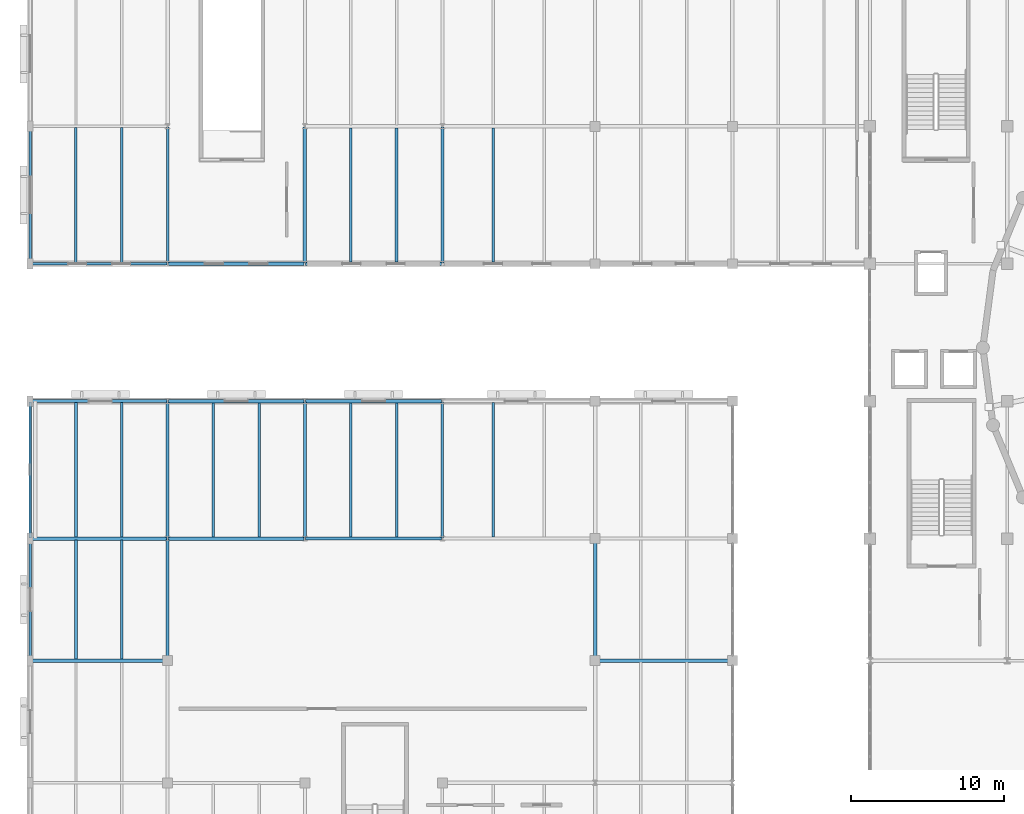
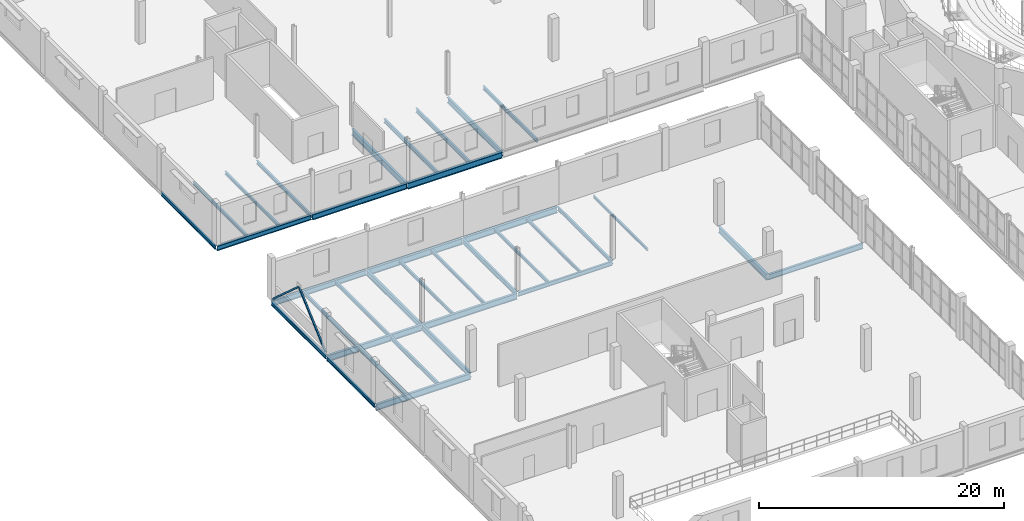
# One storey, part 22 of 85: 36 beams, 2 members.
"""IFC4 building model written with IfcOpenShell, lengths in metres."""

import ifcopenshell
import ifcopenshell.guid

model = None  # the IFC model being written
_history = None  # IfcOwnerHistory: only IFC2X3 demands one
_inside = {}  # id of a spatial element -> (the spatial element, [elements in it])
_under = {}  # id of a project, library or spatial element -> (it, [spatial elements below it])
_declared = {}  # id of a project -> (the project, [libraries it declares])
_typed = {}  # id of a type object -> (the type object, [elements of that type])
_made_of = {}  # id of a material, layer set ... -> (it, [elements and type objects made of it])


def new_model(schema):
    """Start an empty IFC model of exactly this schema.

    Asked for "IFC4X3", IfcOpenShell would pick the latest addendum, in which some entities
    have other attributes; the version numbers below select the first issue.
    IFC2X3 requires an IfcOwnerHistory on every rooted entity: one is made here for all.
    """
    global model, _history
    if schema == "IFC4X3":
        model = ifcopenshell.file(schema_version=(4, 3, 0, 0))
    else:
        model = ifcopenshell.file(schema=schema)
    _inside.clear()
    _under.clear()
    _declared.clear()
    _typed.clear()
    _made_of.clear()
    _history = None
    if model.schema == "IFC2X3":
        org = make("IfcOrganization", Name="unknown")
        user = make(
            "IfcPersonAndOrganization",
            ThePerson=make("IfcPerson", FamilyName="unknown"),
            TheOrganization=org,
        )
        app = make(
            "IfcApplication",
            ApplicationDeveloper=org,
            Version="unknown",
            ApplicationFullName="unknown",
            ApplicationIdentifier="unknown",
        )
        _history = make(
            "IfcOwnerHistory",
            OwningUser=user,
            OwningApplication=app,
            ChangeAction="ADDED",
            CreationDate=0,
        )
    return model


def make(cls, **values):
    """One entity of the class cls with the attributes given. An attribute that is None is left unset."""
    return model.create_entity(
        cls, **{name: value for name, value in values.items() if value is not None}
    )


def rooted(cls, **values):
    """An entity with a GlobalId (a new one), such as an element, a storey or a relation."""
    return make(cls, GlobalId=ifcopenshell.guid.new(), OwnerHistory=_history, **values)


def si_unit(unit_type, name, prefix=None):
    """IfcSIUnit, for example si_unit("LENGTHUNIT", "METRE", prefix="MILLI")."""
    return make("IfcSIUnit", UnitType=unit_type, Prefix=prefix, Name=name)


def assignment(units):
    """IfcUnitAssignment: the units of a project."""
    return None if units is None else make("IfcUnitAssignment", Units=units)


def point(xyz):
    """IfcCartesianPoint."""
    return None if xyz is None else make("IfcCartesianPoint", Coordinates=xyz)


def direction(xyz):
    """IfcDirection."""
    return None if xyz is None else make("IfcDirection", DirectionRatios=xyz)


def frame(location, z_axis=None, x_axis=None):
    """IfcAxis2Placement3D, a coordinate frame: its origin and axes. An axis left out is left unset."""
    return make(
        "IfcAxis2Placement3D",
        Location=point(location),
        Axis=direction(z_axis),
        RefDirection=direction(x_axis),
    )


def frame_2d(location, x_axis=None):
    """IfcAxis2Placement2D, a coordinate frame in the plane: its origin and x axis."""
    return make(
        "IfcAxis2Placement2D", Location=point(location), RefDirection=direction(x_axis)
    )


def origin():
    """The frame at (0, 0, 0) with its axes left unset."""
    return frame((0.0, 0.0, 0.0))


def origin_2d():
    """The frame at (0, 0) in the plane with its x axis left unset."""
    return frame_2d((0.0, 0.0))


def place(relative_to, where):
    """IfcLocalPlacement: puts the frame where relative to a parent placement (None: the world)."""
    return make(
        "IfcLocalPlacement", PlacementRelTo=relative_to, RelativePlacement=where
    )


def context(
    kind, dimensions, precision=None, world=None, true_north=None, identifier=None
):
    """IfcGeometricRepresentationContext, for example the 3D "Model" context."""
    return make(
        "IfcGeometricRepresentationContext",
        ContextIdentifier=identifier,
        ContextType=kind,
        CoordinateSpaceDimension=dimensions,
        Precision=precision,
        WorldCoordinateSystem=world,
        TrueNorth=true_north,
    )


def subcontext(parent, identifier, kind, view, scale=None):
    """IfcGeometricRepresentationSubContext, for example "Body" below "Model"."""
    return make(
        "IfcGeometricRepresentationSubContext",
        ContextIdentifier=identifier,
        ContextType=kind,
        ParentContext=parent,
        TargetScale=scale,
        TargetView=view,
    )


def project(units=None, contexts=None):
    """IfcProject with its units and contexts."""
    return rooted(
        "IfcProject",
        Name="project",
        RepresentationContexts=contexts,
        UnitsInContext=assignment(units),
    )


def spatial(cls, under=None, at=None, **own):
    """A site, building, storey or space (cls), placed at a placement, below another one or the project."""
    s = rooted(cls, ObjectPlacement=at, **own)
    if under is not None:
        _under.setdefault(under.id(), (under, []))[1].append(s)
    return s


def profile(cls, at=None, kind="AREA", **sizes):
    """A parametric profile (cls). Its sizes go by their IFC names, for example OverallWidth=200.0."""
    return make(cls, ProfileType=kind, Position=at, **sizes)


def hollow_rectangle(**sizes):
    """IfcRectangleHollowProfileDef."""
    return profile("IfcRectangleHollowProfileDef", **sizes)


def i_section(**sizes):
    """IfcIShapeProfileDef."""
    return profile("IfcIShapeProfileDef", **sizes)


def extrude(swept, where, along, depth):
    """IfcExtrudedAreaSolid: the profile swept, set in the frame where, extruded along a direction by depth."""
    return make(
        "IfcExtrudedAreaSolid",
        SweptArea=swept,
        Position=where,
        ExtrudedDirection=direction(along),
        Depth=depth,
    )


def shape(context_of_items, identifier, shape_type, items):
    """IfcShapeRepresentation: the items that make up one representation, for example the "Body"."""
    return make(
        "IfcShapeRepresentation",
        ContextOfItems=context_of_items,
        RepresentationIdentifier=identifier,
        RepresentationType=shape_type,
        Items=items,
    )


def material(Name=None, Category=None):
    """IfcMaterial."""
    return make("IfcMaterial", Name=Name, Category=Category)


def material_profile(
    of_material, cross_section, Name=None, Category=None, Priority=None
):
    """IfcMaterialProfile: a cross section and its material."""
    return make(
        "IfcMaterialProfile",
        Name=Name,
        Material=of_material,
        Profile=cross_section,
        Priority=Priority,
        Category=Category,
    )


def profile_set(profiles, Name=None, composite=None):
    """IfcMaterialProfileSet."""
    return make(
        "IfcMaterialProfileSet",
        Name=Name,
        MaterialProfiles=profiles,
        CompositeProfile=composite,
    )


def made_of(thing, what):
    """Note that an element or type object is made of a material, layer set ...; save() writes the relation."""
    if what is not None:
        _made_of.setdefault(what.id(), (what, []))[1].append(thing)
    return thing


def type_object(cls, material=None, **own):
    """A type object (cls), such as IfcWallType, which elements share."""
    return made_of(rooted(cls, **own), material)


def element(
    cls,
    number,
    at=None,
    inside=None,
    cuts=None,
    type_object=None,
    material=None,
    context=None,
    identifier="Body",
    shape_type=None,
    held_by="IfcProductDefinitionShape",
    body=None,
    shapes=None,
    **own,
):
    """One element of the class cls, such as IfcWall. Its Tag is "e" and its number.

    at: its placement. inside: the storey or other place that contains it. cuts: it is an
    opening in that element (IfcRelVoidsElement). A single representation is given by context,
    identifier, shape_type and body (its items); several are given by shapes. held_by: the class
    of the entity that holds the representations. save() writes the other relations.
    """
    e = rooted(cls, Tag="e%d" % number, ObjectPlacement=at, **own)
    if body is not None:
        shapes = [shape(context, identifier, shape_type, body)]
    if shapes is not None:
        e.Representation = make(held_by, Representations=shapes)
    if inside is not None:
        _inside.setdefault(inside.id(), (inside, []))[1].append(e)
    if cuts is not None:
        rooted(
            "IfcRelVoidsElement", RelatingBuildingElement=cuts, RelatedOpeningElement=e
        )
    if type_object is not None:
        _typed.setdefault(type_object.id(), (type_object, []))[1].append(e)
    return made_of(e, material)


def aggregate(whole, parts):
    """IfcRelAggregates: a whole, such as a stair, and the parts it consists of."""
    return rooted("IfcRelAggregates", RelatingObject=whole, RelatedObjects=parts)


def save(model, path):
    """Write the relations noted so far, then the file.

    IfcRelAggregates (storeys below a building ...), IfcRelContainedInSpatialStructure (elements
    in a storey), IfcRelDefinesByType, IfcRelAssociatesMaterial and IfcRelDeclares: one each for
    every whole, place, type object, material and project.
    """
    for whole, parts in _under.values():
        aggregate(whole, parts)
    for where, things in _inside.values():
        rooted(
            "IfcRelContainedInSpatialStructure",
            RelatedElements=things,
            RelatingStructure=where,
        )
    for kind, things in _typed.values():
        rooted("IfcRelDefinesByType", RelatedObjects=things, RelatingType=kind)
    for what, things in _made_of.values():
        rooted("IfcRelAssociatesMaterial", RelatedObjects=things, RelatingMaterial=what)
    for by, libraries in _declared.values():
        rooted("IfcRelDeclares", RelatingContext=by, RelatedDefinitions=libraries)
    model.write(path)


model = new_model("IFC4")

# Units and contexts
model_context = context("Model", 3, precision=1e-05, world=origin(), true_north=direction((0.0, 1.0)))
body_context = subcontext(model_context, "Body", "Model", "MODEL_VIEW")
ifc_project = project(units=[si_unit("LENGTHUNIT", "METRE"), si_unit("AREAUNIT", "SQUARE_METRE"), si_unit("VOLUMEUNIT", "CUBIC_METRE"), si_unit("PLANEANGLEUNIT", "RADIAN"), si_unit("MASSUNIT", "GRAM", prefix="KILO")], contexts=[model_context])

# Site, building, storey
site_placement = place(None, origin())
site = spatial("IfcSite", under=ifc_project, at=site_placement, CompositionType="ELEMENT")
building_placement = place(site_placement, origin())
building = spatial("IfcBuilding", under=site, at=building_placement, Name="Marnock Terrace Opera House", CompositionType="ELEMENT")
storey_placement = place(building_placement, frame((0.0, 0.0, 10.199951171875)))
storey = spatial("IfcBuildingStorey", under=building, at=storey_placement, Name="L02", CompositionType="ELEMENT", Elevation=10.199951171875)

# Beams
ifc_material_1 = material(Name="Steel Grade 350 (AS/NZS 3679.1)", Category="steel")
ifc_material_profile_1 = material_profile(ifc_material_1, i_section(OverallWidth=0.1708984375, OverallDepth=0.355712890625, WebThickness=0.00732421875, FlangeThickness=0.011474609375, FilletRadius=0.011474609375, at=origin_2d()))
ifc_profile_set_1 = profile_set([ifc_material_profile_1], Name="Steel Grade 350 (AS/NZS 3679.1)")
beam_type_1 = type_object("IfcBeamType", Name="BM-GIRD-360", PredefinedType="BEAM", material=ifc_profile_set_1)
for number, where, z_axis, x_axis, name in (
    (1, (9.0, 66.050048828125, -0.437744140625), (0.0, 1.0, 0.0), (-1.0, 0.0, 0.0), "L02 girder (X=9.0, 66.0..75.0)"),
    (2, (27.0, 48.050048828125, -0.437744140625), (0.0, 1.0, 0.0), (-1.0, 0.0, 0.0), "L02 girder (X=27.0, 48.0..57.0)"),
):
    element("IfcBeam", number, at=place(storey_placement, frame(where, z_axis=z_axis, x_axis=x_axis)), inside=storey, type_object=beam_type_1, Name=name, PredefinedType="BEAM", context=body_context, shape_type="SweptSolid", body=[
        extrude(i_section(OverallWidth=0.1708984375, OverallDepth=0.355712890625, WebThickness=0.00732421875, FlangeThickness=0.011474609375, FilletRadius=0.011474609375, at=origin_2d()), origin(), (0.0, 0.0, 1.0), 8.89990234375),
    ])
ifc_material_profile_2 = material_profile(ifc_material_1, i_section(OverallWidth=0.177978515625, OverallDepth=0.402587890625, WebThickness=0.007568359375, FlangeThickness=0.010986328125, FilletRadius=0.011474609375, at=origin_2d()))
ifc_profile_set_2 = profile_set([ifc_material_profile_2], Name="Steel Grade 350 (AS/NZS 3679.1)")
beam_type_2 = type_object("IfcBeamType", Name="BM-GIRD-410", PredefinedType="BEAM", material=ifc_profile_set_2)
beam_1_placement = place(storey_placement, frame((18.050048828125, 48.0, -0.461181640625), z_axis=(1.0, 0.0, 0.0), x_axis=(0.0, 1.0, 0.0)))
element("IfcBeam", 3, at=beam_1_placement, inside=storey, type_object=beam_type_2, Name="L02 girder (18.0..27.0, Y=48.0)", PredefinedType="BEAM", context=body_context, shape_type="SweptSolid", body=[
    extrude(i_section(OverallWidth=0.177978515625, OverallDepth=0.402587890625, WebThickness=0.007568359375, FlangeThickness=0.010986328125, FilletRadius=0.011474609375, at=origin_2d()), origin(), (0.0, 0.0, 1.0), 8.89990234375),
])
ifc_material_profile_3 = material_profile(ifc_material_1, i_section(OverallWidth=0.19091796875, OverallDepth=0.46044921875, WebThickness=0.010009765625, FlangeThickness=0.01611328125, FilletRadius=0.011474609375, at=origin_2d()))
ifc_profile_set_3 = profile_set([ifc_material_profile_3], Name="Steel Grade 350 (AS/NZS 3679.1)")
beam_type_3 = type_object("IfcBeamType", Name="BM-GIRD-460A", PredefinedType="BEAM", material=ifc_profile_set_3)
beam_2_placement = place(storey_placement, frame((0.050048828125, 66.0, -0.490234375), z_axis=(1.0, 0.0, 0.0), x_axis=(0.0, 1.0, 0.0)))
element("IfcBeam", 4, at=beam_2_placement, inside=storey, type_object=beam_type_3, Name="L02 girder (0.0..9.0, Y=66.0)", PredefinedType="BEAM", context=body_context, shape_type="SweptSolid", body=[
    extrude(i_section(OverallWidth=0.19091796875, OverallDepth=0.46044921875, WebThickness=0.010009765625, FlangeThickness=0.01611328125, FilletRadius=0.011474609375, at=origin_2d()), origin(), (0.0, 0.0, 1.0), 8.89990234375),
])
ifc_material_profile_4 = material_profile(ifc_material_1, i_section(OverallWidth=0.18994140625, OverallDepth=0.45751953125, WebThickness=0.009033203125, FlangeThickness=0.014404296875, FilletRadius=0.011474609375, at=origin_2d()))
ifc_profile_set_4 = profile_set([ifc_material_profile_4], Name="Steel Grade 350 (AS/NZS 3679.1)")
beam_type_4 = type_object("IfcBeamType", Name="BM-GIRD-460B", PredefinedType="BEAM", material=ifc_profile_set_4)
beam_3_placement = place(storey_placement, frame((18.0, 48.050048828125, -0.48876953125), z_axis=(0.0, 1.0, 0.0), x_axis=(-1.0, 0.0, 0.0)))
element("IfcBeam", 5, at=beam_3_placement, inside=storey, type_object=beam_type_4, Name="L02 girder (X=18.0, 48.0..57.0)", PredefinedType="BEAM", context=body_context, shape_type="SweptSolid", body=[
    extrude(i_section(OverallWidth=0.18994140625, OverallDepth=0.45751953125, WebThickness=0.009033203125, FlangeThickness=0.014404296875, FilletRadius=0.011474609375, at=origin_2d()), origin(), (0.0, 0.0, 1.0), 8.89990234375),
])
ifc_material_profile_5 = material_profile(ifc_material_1, i_section(OverallWidth=0.208984375, OverallDepth=0.532958984375, WebThickness=0.01025390625, FlangeThickness=0.015625, FilletRadius=0.013916015625, at=origin_2d()))
ifc_profile_set_5 = profile_set([ifc_material_profile_5], Name="Steel Grade 350 (AS/NZS 3679.1)")
beam_type_5 = type_object("IfcBeamType", Name="BM-GIRD-530A", PredefinedType="BEAM", material=ifc_profile_set_5)
for number, where, z_axis, x_axis, name in (
    (6, (37.050048828125, 40.0, -0.5263671875), (1.0, 0.0, 0.0), (0.0, 1.0, 0.0), "L02 girder (37.0..46.0, Y=40.0)"),
    (7, (0.050048828125, 57.0, -0.5263671875), (1.0, 0.0, 0.0), (0.0, 1.0, 0.0), "L02 girder (0.0..9.0, Y=57.0)"),
    (8, (9.050048828125, 66.0, -0.5263671875), (1.0, 0.0, 0.0), (0.0, 1.0, 0.0), "L02 girder (9.0..18.0, Y=66.0)"),
):
    element("IfcBeam", number, at=place(storey_placement, frame(where, z_axis=z_axis, x_axis=x_axis)), inside=storey, type_object=beam_type_5, Name=name, PredefinedType="BEAM", context=body_context, shape_type="SweptSolid", body=[
        extrude(i_section(OverallWidth=0.208984375, OverallDepth=0.532958984375, WebThickness=0.01025390625, FlangeThickness=0.015625, FilletRadius=0.013916015625, at=origin_2d()), origin(), (0.0, 0.0, 1.0), 8.89990234375),
    ])
ifc_material_profile_6 = material_profile(ifc_material_1, i_section(OverallWidth=0.208984375, OverallDepth=0.528076171875, WebThickness=0.009521484375, FlangeThickness=0.01318359375, FilletRadius=0.013916015625, at=origin_2d()))
ifc_profile_set_6 = profile_set([ifc_material_profile_6], Name="Steel Grade 350 (AS/NZS 3679.1)")
beam_type_6 = type_object("IfcBeamType", Name="BM-GIRD-530B", PredefinedType="BEAM", material=ifc_profile_set_6)
beam_4_placement = place(storey_placement, frame((9.0, 40.050048828125, -0.52392578125), z_axis=(0.0, 1.0, 0.0), x_axis=(-1.0, 0.0, 0.0)))
element("IfcBeam", 9, at=beam_4_placement, inside=storey, type_object=beam_type_6, Name="L02 girder (X=9.0, 40.0..48.0)", PredefinedType="BEAM", context=body_context, shape_type="SweptSolid", body=[
    extrude(i_section(OverallWidth=0.208984375, OverallDepth=0.528076171875, WebThickness=0.009521484375, FlangeThickness=0.01318359375, FilletRadius=0.013916015625, at=origin_2d()), origin(), (0.0, 0.0, 1.0), 7.89990234375),
])
for number, where, z_axis, x_axis, name in (
    (10, (9.0, 48.050048828125, -0.52392578125), (0.0, 1.0, 0.0), (-1.0, 0.0, 0.0), "L02 girder (X=9.0, 48.0..57.0)"),
    (11, (27.0, 66.050048828125, -0.52392578125), (0.0, 1.0, 0.0), (-1.0, 0.0, 0.0), "L02 girder (X=27.0, 66.0..75.0)"),
):
    element("IfcBeam", number, at=place(storey_placement, frame(where, z_axis=z_axis, x_axis=x_axis)), inside=storey, type_object=beam_type_6, Name=name, PredefinedType="BEAM", context=body_context, shape_type="SweptSolid", body=[
        extrude(i_section(OverallWidth=0.208984375, OverallDepth=0.528076171875, WebThickness=0.009521484375, FlangeThickness=0.01318359375, FilletRadius=0.013916015625, at=origin_2d()), origin(), (0.0, 0.0, 1.0), 8.89990234375),
    ])
ifc_material_profile_7 = material_profile(ifc_material_1, i_section(OverallWidth=0.22900390625, OverallDepth=0.611572265625, WebThickness=0.011962890625, FlangeThickness=0.01953125, FilletRadius=0.013916015625, at=origin_2d()))
ifc_profile_set_7 = profile_set([ifc_material_profile_7], Name="Steel Grade 350 (AS/NZS 3679.1)")
beam_type_7 = type_object("IfcBeamType", Name="BM-GIRD-610A", PredefinedType="BEAM", material=ifc_profile_set_7)
for number, where, z_axis, x_axis, name in (
    (12, (0.050048828125, 40.0, -0.565673828125), (1.0, 0.0, 0.0), (0.0, 1.0, 0.0), "L02 girder (0.0..9.0, Y=40.0)"),
    (13, (9.050048828125, 48.0, -0.565673828125), (1.0, 0.0, 0.0), (0.0, 1.0, 0.0), "L02 girder (9.0..18.0, Y=48.0)"),
    (14, (18.050048828125, 57.0, -0.565673828125), (1.0, 0.0, 0.0), (0.0, 1.0, 0.0), "L02 girder (18.0..27.0, Y=57.0)"),
):
    element("IfcBeam", number, at=place(storey_placement, frame(where, z_axis=z_axis, x_axis=x_axis)), inside=storey, type_object=beam_type_7, Name=name, PredefinedType="BEAM", context=body_context, shape_type="SweptSolid", body=[
        extrude(i_section(OverallWidth=0.22900390625, OverallDepth=0.611572265625, WebThickness=0.011962890625, FlangeThickness=0.01953125, FilletRadius=0.013916015625, at=origin_2d()), origin(), (0.0, 0.0, 1.0), 8.89990234375),
    ])
ifc_material_profile_8 = material_profile(ifc_material_1, i_section(OverallWidth=0.22802734375, OverallDepth=0.60693359375, WebThickness=0.01123046875, FlangeThickness=0.017333984375, FilletRadius=0.013916015625, at=origin_2d()))
ifc_profile_set_8 = profile_set([ifc_material_profile_8], Name="Steel Grade 350 (AS/NZS 3679.1)")
beam_type_8 = type_object("IfcBeamType", Name="BM-GIRD-610B", PredefinedType="BEAM", material=ifc_profile_set_8)
for number, where, z_axis, x_axis, name in (
    (15, (0.050048828125, 48.0, -0.5634765625), (1.0, 0.0, 0.0), (0.0, 1.0, 0.0), "L02 girder (0.0..9.0, Y=48.0)"),
    (16, (9.050048828125, 57.0, -0.5634765625), (1.0, 0.0, 0.0), (0.0, 1.0, 0.0), "L02 girder (9.0..18.0, Y=57.0)"),
    (17, (18.050048828125, 66.0, -0.5634765625), (1.0, 0.0, 0.0), (0.0, 1.0, 0.0), "L02 girder (18.0..27.0, Y=66.0)"),
):
    element("IfcBeam", number, at=place(storey_placement, frame(where, z_axis=z_axis, x_axis=x_axis)), inside=storey, type_object=beam_type_8, Name=name, PredefinedType="BEAM", context=body_context, shape_type="SweptSolid", body=[
        extrude(i_section(OverallWidth=0.22802734375, OverallDepth=0.60693359375, WebThickness=0.01123046875, FlangeThickness=0.017333984375, FilletRadius=0.013916015625, at=origin_2d()), origin(), (0.0, 0.0, 1.0), 8.89990234375),
    ])
ifc_material_profile_9 = material_profile(ifc_material_1, i_section(OverallWidth=0.22802734375, OverallDepth=0.60205078125, WebThickness=0.010498046875, FlangeThickness=0.014892578125, FilletRadius=0.013916015625, at=origin_2d()))
ifc_profile_set_9 = profile_set([ifc_material_profile_9], Name="Steel Grade 350 (AS/NZS 3679.1)")
beam_type_9 = type_object("IfcBeamType", Name="BM-GIRD-610C", PredefinedType="BEAM", material=ifc_profile_set_9)
beam_5_placement = place(storey_placement, frame((18.0, 66.050048828125, -0.56103515625), z_axis=(0.0, 1.0, 0.0), x_axis=(-1.0, 0.0, 0.0)))
element("IfcBeam", 18, at=beam_5_placement, inside=storey, type_object=beam_type_9, Name="L02 girder (X=18.0, 66.0..75.0)", PredefinedType="BEAM", context=body_context, shape_type="SweptSolid", body=[
    extrude(i_section(OverallWidth=0.22802734375, OverallDepth=0.60205078125, WebThickness=0.010498046875, FlangeThickness=0.014892578125, FilletRadius=0.013916015625, at=origin_2d()), origin(), (0.0, 0.0, 1.0), 8.89990234375),
])
beam_6_placement = place(storey_placement, frame((37.0, 40.050048828125, -0.56103515625), z_axis=(0.0, 1.0, 0.0), x_axis=(-1.0, 0.0, 0.0)))
element("IfcBeam", 19, at=beam_6_placement, inside=storey, type_object=beam_type_9, Name="L02 girder (X=37.0, 40.0..48.0)", PredefinedType="BEAM", context=body_context, shape_type="SweptSolid", body=[
    extrude(i_section(OverallWidth=0.22802734375, OverallDepth=0.60205078125, WebThickness=0.010498046875, FlangeThickness=0.014892578125, FilletRadius=0.013916015625, at=origin_2d()), origin(), (0.0, 0.0, 1.0), 7.89990234375),
])
ifc_material_profile_10 = material_profile(ifc_material_1, i_section(OverallWidth=0.14599609375, OverallDepth=0.256103515625, WebThickness=0.00634765625, FlangeThickness=0.010986328125, FilletRadius=0.0087890625, at=origin_2d()))
ifc_profile_set_10 = profile_set([ifc_material_profile_10], Name="Steel Grade 350 (AS/NZS 3679.1)")
beam_type_10 = type_object("IfcBeamType", Name="BM-JOIST-250", PredefinedType="JOIST", material=ifc_profile_set_10)
beam_7_placement = place(storey_placement, frame((30.333251953125, 48.090576171875, -0.387939453125), z_axis=(0.0, 1.0, 0.0), x_axis=(-1.0, 0.0, 0.0)))
element("IfcBeam", 20, at=beam_7_placement, inside=storey, type_object=beam_type_10, Name="L02 secondary joist 3.6.1", PredefinedType="JOIST", context=body_context, shape_type="SweptSolid", body=[
    extrude(i_section(OverallWidth=0.14599609375, OverallDepth=0.256103515625, WebThickness=0.00634765625, FlangeThickness=0.010986328125, FilletRadius=0.0087890625, at=origin_2d()), origin(), (0.0, 0.0, 1.0), 8.825439453125),
])
ifc_material_profile_11 = material_profile(ifc_material_1, i_section(OverallWidth=0.166015625, OverallDepth=0.30712890625, WebThickness=0.006591796875, FlangeThickness=0.01171875, FilletRadius=0.011474609375, at=origin_2d()))
ifc_profile_set_11 = profile_set([ifc_material_profile_11], Name="Steel Grade 350 (AS/NZS 3679.1)")
beam_type_11 = type_object("IfcBeamType", Name="BM-JOIST-310A", PredefinedType="JOIST", material=ifc_profile_set_11)
for number, where, z_axis, x_axis, name in (
    (21, (12.0, 48.109619140625, -0.41357421875), (0.0, 1.0, 0.0), (-1.0, 0.0, 0.0), "L02 secondary joist 1.6.1"),
    (22, (15.0, 48.109619140625, -0.41357421875), (0.0, 1.0, 0.0), (-1.0, 0.0, 0.0), "L02 secondary joist 1.6.2"),
):
    element("IfcBeam", number, at=place(storey_placement, frame(where, z_axis=z_axis, x_axis=x_axis)), inside=storey, type_object=beam_type_11, Name=name, PredefinedType="JOIST", context=body_context, shape_type="SweptSolid", body=[
        extrude(i_section(OverallWidth=0.166015625, OverallDepth=0.30712890625, WebThickness=0.006591796875, FlangeThickness=0.01171875, FilletRadius=0.011474609375, at=origin_2d()), origin(), (0.0, 0.0, 1.0), 8.781494140625),
    ])
ifc_material_profile_12 = material_profile(ifc_material_1, i_section(OverallWidth=0.1650390625, OverallDepth=0.3037109375, WebThickness=0.006103515625, FlangeThickness=0.01025390625, FilletRadius=0.011474609375, at=origin_2d()))
ifc_profile_set_12 = profile_set([ifc_material_profile_12], Name="Steel Grade 350 (AS/NZS 3679.1)")
beam_type_12 = type_object("IfcBeamType", Name="BM-JOIST-310B", PredefinedType="JOIST", material=ifc_profile_set_12)
for number, where, z_axis, x_axis, name in (
    (23, (3.0, 66.090576171875, -0.411865234375), (0.0, 1.0, 0.0), (-1.0, 0.0, 0.0), "L02 secondary joist 0.8.1"),
    (24, (6.0, 66.090576171875, -0.411865234375), (0.0, 1.0, 0.0), (-1.0, 0.0, 0.0), "L02 secondary joist 0.8.2"),
):
    element("IfcBeam", number, at=place(storey_placement, frame(where, z_axis=z_axis, x_axis=x_axis)), inside=storey, type_object=beam_type_12, Name=name, PredefinedType="JOIST", context=body_context, shape_type="SweptSolid", body=[
        extrude(i_section(OverallWidth=0.1650390625, OverallDepth=0.3037109375, WebThickness=0.006103515625, FlangeThickness=0.01025390625, FilletRadius=0.011474609375, at=origin_2d()), origin(), (0.0, 0.0, 1.0), 8.825439453125),
    ])
for number, where, z_axis, x_axis, name in (
    (25, (21.0, 48.083984375, -0.411865234375), (0.0, 1.0, 0.0), (-1.0, 0.0, 0.0), "L02 secondary joist 2.6.1"),
    (26, (24.0, 48.083984375, -0.411865234375), (0.0, 1.0, 0.0), (-1.0, 0.0, 0.0), "L02 secondary joist 2.6.2"),
):
    element("IfcBeam", number, at=place(storey_placement, frame(where, z_axis=z_axis, x_axis=x_axis)), inside=storey, type_object=beam_type_12, Name=name, PredefinedType="JOIST", context=body_context, shape_type="SweptSolid", body=[
        extrude(i_section(OverallWidth=0.1650390625, OverallDepth=0.3037109375, WebThickness=0.006103515625, FlangeThickness=0.01025390625, FilletRadius=0.011474609375, at=origin_2d()), origin(), (0.0, 0.0, 1.0), 8.806396484375),
    ])
ifc_material_profile_13 = material_profile(ifc_material_1, i_section(OverallWidth=0.172119140625, OverallDepth=0.358642578125, WebThickness=0.008056640625, FlangeThickness=0.012939453125, FilletRadius=0.011474609375, at=origin_2d()))
ifc_profile_set_13 = profile_set([ifc_material_profile_13], Name="Steel Grade 350 (AS/NZS 3679.1)")
beam_type_13 = type_object("IfcBeamType", Name="BM-JOIST-360", PredefinedType="JOIST", material=ifc_profile_set_13)
for number, where, z_axis, x_axis, name in (
    (27, (3.0, 48.10888671875, -0.439208984375), (0.0, 1.0, 0.0), (-1.0, 0.0, 0.0), "L02 secondary joist 0.6.1"),
    (28, (6.0, 48.10888671875, -0.439208984375), (0.0, 1.0, 0.0), (-1.0, 0.0, 0.0), "L02 secondary joist 0.6.2"),
):
    element("IfcBeam", number, at=place(storey_placement, frame(where, z_axis=z_axis, x_axis=x_axis)), inside=storey, type_object=beam_type_13, Name=name, PredefinedType="JOIST", context=body_context, shape_type="SweptSolid", body=[
        extrude(i_section(OverallWidth=0.172119140625, OverallDepth=0.358642578125, WebThickness=0.008056640625, FlangeThickness=0.012939453125, FilletRadius=0.011474609375, at=origin_2d()), origin(), (0.0, 0.0, 1.0), 8.79150390625),
    ])
beam_8_placement = place(storey_placement, frame((30.333251953125, 66.109619140625, -0.439208984375), z_axis=(0.0, 1.0, 0.0), x_axis=(-1.0, 0.0, 0.0)))
element("IfcBeam", 29, at=beam_8_placement, inside=storey, type_object=beam_type_13, Name="L02 secondary joist 3.8.1", PredefinedType="JOIST", context=body_context, shape_type="SweptSolid", body=[
    extrude(i_section(OverallWidth=0.172119140625, OverallDepth=0.358642578125, WebThickness=0.008056640625, FlangeThickness=0.012939453125, FilletRadius=0.011474609375, at=origin_2d()), origin(), (0.0, 0.0, 1.0), 8.781494140625),
])
ifc_material_profile_14 = material_profile(ifc_material_1, i_section(OverallWidth=0.177978515625, OverallDepth=0.406494140625, WebThickness=0.0078125, FlangeThickness=0.0126953125, FilletRadius=0.011474609375, at=origin_2d()))
ifc_profile_set_14 = profile_set([ifc_material_profile_14], Name="Steel Grade 350 (AS/NZS 3679.1)")
beam_type_14 = type_object("IfcBeamType", Name="BM-JOIST-410", PredefinedType="JOIST", material=ifc_profile_set_14)
for number, where, z_axis, x_axis, name in (
    (30, (3.0, 40.109619140625, -0.463134765625), (0.0, 1.0, 0.0), (-1.0, 0.0, 0.0), "L02 secondary joist 0.5.1"),
    (31, (6.0, 40.109619140625, -0.463134765625), (0.0, 1.0, 0.0), (-1.0, 0.0, 0.0), "L02 secondary joist 0.5.2"),
):
    element("IfcBeam", number, at=place(storey_placement, frame(where, z_axis=z_axis, x_axis=x_axis)), inside=storey, type_object=beam_type_14, Name=name, PredefinedType="JOIST", context=body_context, shape_type="SweptSolid", body=[
        extrude(i_section(OverallWidth=0.177978515625, OverallDepth=0.406494140625, WebThickness=0.0078125, FlangeThickness=0.0126953125, FilletRadius=0.011474609375, at=origin_2d()), origin(), (0.0, 0.0, 1.0), 7.781494140625),
    ])
for number, where, z_axis, x_axis, name in (
    (32, (21.0, 66.10888671875, -0.463134765625), (0.0, 1.0, 0.0), (-1.0, 0.0, 0.0), "L02 secondary joist 2.8.1"),
    (33, (24.0, 66.10888671875, -0.463134765625), (0.0, 1.0, 0.0), (-1.0, 0.0, 0.0), "L02 secondary joist 2.8.2"),
):
    element("IfcBeam", number, at=place(storey_placement, frame(where, z_axis=z_axis, x_axis=x_axis)), inside=storey, type_object=beam_type_14, Name=name, PredefinedType="JOIST", context=body_context, shape_type="SweptSolid", body=[
        extrude(i_section(OverallWidth=0.177978515625, OverallDepth=0.406494140625, WebThickness=0.0078125, FlangeThickness=0.0126953125, FilletRadius=0.011474609375, at=origin_2d()), origin(), (0.0, 0.0, 1.0), 8.79150390625),
    ])
ifc_material_profile_15 = material_profile(ifc_material_1, i_section(OverallWidth=0.172119140625, OverallDepth=0.358642578125, WebThickness=0.008056640625, FlangeThickness=0.012939453125, FilletRadius=0.011474609375, at=origin_2d()))
ifc_profile_set_15 = profile_set([ifc_material_profile_15], Name="Steel Grade 350 (AS/NZS 3679.1)")
beam_type_15 = type_object("IfcBeamType", Name="BM-SPAN-360", PredefinedType="SPANDREL", material=ifc_profile_set_15)
beam_9_placement = place(storey_placement, frame((0.0, 40.050048828125, -0.439208984375), z_axis=(0.0, 1.0, 0.0), x_axis=(-1.0, 0.0, 0.0)))
element("IfcBeam", 34, at=beam_9_placement, inside=storey, type_object=beam_type_15, Name="L02 girder (X=0.0, 40.0..48.0)", PredefinedType="SPANDREL", context=body_context, shape_type="SweptSolid", body=[
    extrude(i_section(OverallWidth=0.172119140625, OverallDepth=0.358642578125, WebThickness=0.008056640625, FlangeThickness=0.012939453125, FilletRadius=0.011474609375, at=origin_2d()), origin(), (0.0, 0.0, 1.0), 7.89990234375),
])
for number, where, z_axis, x_axis, name in (
    (35, (0.0, 48.050048828125, -0.439208984375), (0.0, 1.0, 0.0), (-1.0, 0.0, 0.0), "L02 girder (X=0.0, 48.0..57.0)"),
    (36, (0.0, 66.050048828125, -0.439208984375), (0.0, 1.0, 0.0), (-1.0, 0.0, 0.0), "L02 girder (X=0.0, 66.0..75.0)"),
):
    element("IfcBeam", number, at=place(storey_placement, frame(where, z_axis=z_axis, x_axis=x_axis)), inside=storey, type_object=beam_type_15, Name=name, PredefinedType="SPANDREL", context=body_context, shape_type="SweptSolid", body=[
        extrude(i_section(OverallWidth=0.172119140625, OverallDepth=0.358642578125, WebThickness=0.008056640625, FlangeThickness=0.012939453125, FilletRadius=0.011474609375, at=origin_2d()), origin(), (0.0, 0.0, 1.0), 8.89990234375),
    ])

# Members
ifc_material_2 = material(Name="Cold-formed Steel Grade C350L0 (AS/NZS 1163)", Category="steel")
ifc_material_profile_16 = material_profile(ifc_material_2, hollow_rectangle(XDim=0.14990234375, YDim=0.14990234375, WallThickness=0.006103515625, InnerFilletRadius=0.006103515625, OuterFilletRadius=0.011962890625, at=origin_2d()))
ifc_profile_set_16 = profile_set([ifc_material_profile_16], Name="Cold-formed Steel Grade C350L0 (AS/NZS 1163)")
member_type = type_object("IfcMemberType", Name="MEM-BRACE-SHS", PredefinedType="BRACE", material=ifc_profile_set_16)
for number, where, z_axis, x_axis, name in (
    (37, (0.0, 48.14990234375, 0.0), (0.0, 0.746269005754, 0.665644477969), (-1.0, 0.0, 0.0), "L02 chevron brace A"),
    (38, (0.0, 56.85009765625, 0.0), (0.0, -0.746269005754, 0.665644477969), (1.0, 0.0, 0.0), "L02 chevron brace B"),
):
    element("IfcMember", number, at=place(storey_placement, frame(where, z_axis=z_axis, x_axis=x_axis)), inside=storey, type_object=member_type, Name=name, PredefinedType="BRACE", context=body_context, shape_type="SweptSolid", body=[
        extrude(hollow_rectangle(XDim=0.14990234375, YDim=0.14990234375, WallThickness=0.006103515625, InnerFilletRadius=0.006103515625, OuterFilletRadius=0.011962890625, at=origin_2d()), origin(), (0.0, 0.0, 1.0), 5.8291015625),
    ])

save(model, "model.ifc")
